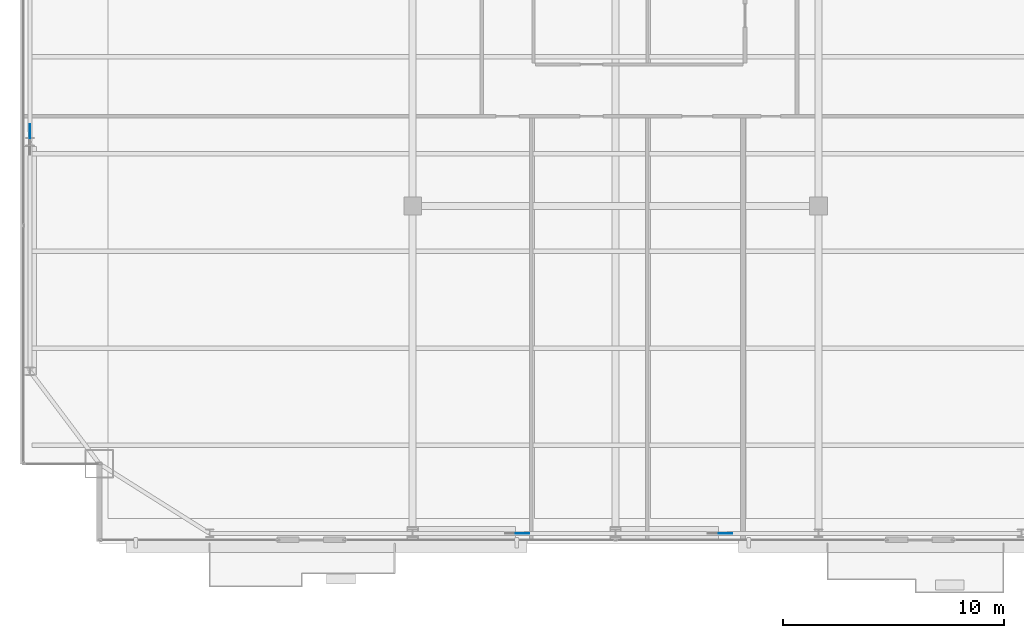
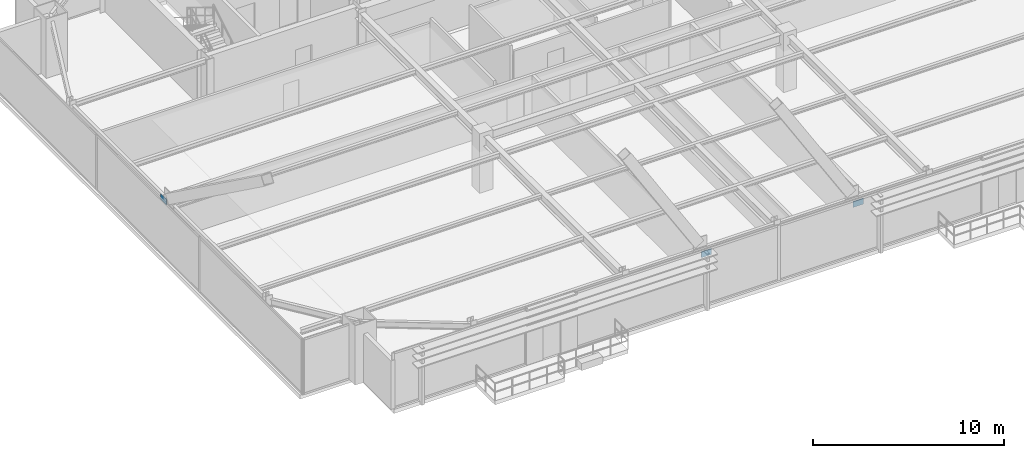
# One storey, part 26 of 32: 3 plates.
"""IFC4 building model written with IfcOpenShell, lengths in metres."""

import ifcopenshell
import ifcopenshell.guid

model = None  # the IFC model being written
_history = None  # IfcOwnerHistory: only IFC2X3 demands one
_inside = {}  # id of a spatial element -> (the spatial element, [elements in it])
_under = {}  # id of a project, library or spatial element -> (it, [spatial elements below it])
_declared = {}  # id of a project -> (the project, [libraries it declares])
_typed = {}  # id of a type object -> (the type object, [elements of that type])
_made_of = {}  # id of a material, layer set ... -> (it, [elements and type objects made of it])


def new_model(schema):
    """Start an empty IFC model of exactly this schema.

    Asked for "IFC4X3", IfcOpenShell would pick the latest addendum, in which some entities
    have other attributes; the version numbers below select the first issue.
    IFC2X3 requires an IfcOwnerHistory on every rooted entity: one is made here for all.
    """
    global model, _history
    if schema == "IFC4X3":
        model = ifcopenshell.file(schema_version=(4, 3, 0, 0))
    else:
        model = ifcopenshell.file(schema=schema)
    _inside.clear()
    _under.clear()
    _declared.clear()
    _typed.clear()
    _made_of.clear()
    _history = None
    if model.schema == "IFC2X3":
        org = make("IfcOrganization", Name="unknown")
        user = make(
            "IfcPersonAndOrganization",
            ThePerson=make("IfcPerson", FamilyName="unknown"),
            TheOrganization=org,
        )
        app = make(
            "IfcApplication",
            ApplicationDeveloper=org,
            Version="unknown",
            ApplicationFullName="unknown",
            ApplicationIdentifier="unknown",
        )
        _history = make(
            "IfcOwnerHistory",
            OwningUser=user,
            OwningApplication=app,
            ChangeAction="ADDED",
            CreationDate=0,
        )
    return model


def make(cls, **values):
    """One entity of the class cls with the attributes given. An attribute that is None is left unset."""
    return model.create_entity(
        cls, **{name: value for name, value in values.items() if value is not None}
    )


def rooted(cls, **values):
    """An entity with a GlobalId (a new one), such as an element, a storey or a relation."""
    return make(cls, GlobalId=ifcopenshell.guid.new(), OwnerHistory=_history, **values)


def si_unit(unit_type, name, prefix=None):
    """IfcSIUnit, for example si_unit("LENGTHUNIT", "METRE", prefix="MILLI")."""
    return make("IfcSIUnit", UnitType=unit_type, Prefix=prefix, Name=name)


def assignment(units):
    """IfcUnitAssignment: the units of a project."""
    return None if units is None else make("IfcUnitAssignment", Units=units)


def point(xyz):
    """IfcCartesianPoint."""
    return None if xyz is None else make("IfcCartesianPoint", Coordinates=xyz)


def direction(xyz):
    """IfcDirection."""
    return None if xyz is None else make("IfcDirection", DirectionRatios=xyz)


def frame(location, z_axis=None, x_axis=None):
    """IfcAxis2Placement3D, a coordinate frame: its origin and axes. An axis left out is left unset."""
    return make(
        "IfcAxis2Placement3D",
        Location=point(location),
        Axis=direction(z_axis),
        RefDirection=direction(x_axis),
    )


def frame_2d(location, x_axis=None):
    """IfcAxis2Placement2D, a coordinate frame in the plane: its origin and x axis."""
    return make(
        "IfcAxis2Placement2D", Location=point(location), RefDirection=direction(x_axis)
    )


def origin():
    """The frame at (0, 0, 0) with its axes left unset."""
    return frame((0.0, 0.0, 0.0))


def origin_2d():
    """The frame at (0, 0) in the plane with its x axis left unset."""
    return frame_2d((0.0, 0.0))


def place(relative_to, where):
    """IfcLocalPlacement: puts the frame where relative to a parent placement (None: the world)."""
    return make(
        "IfcLocalPlacement", PlacementRelTo=relative_to, RelativePlacement=where
    )


def context(
    kind, dimensions, precision=None, world=None, true_north=None, identifier=None
):
    """IfcGeometricRepresentationContext, for example the 3D "Model" context."""
    return make(
        "IfcGeometricRepresentationContext",
        ContextIdentifier=identifier,
        ContextType=kind,
        CoordinateSpaceDimension=dimensions,
        Precision=precision,
        WorldCoordinateSystem=world,
        TrueNorth=true_north,
    )


def subcontext(parent, identifier, kind, view, scale=None):
    """IfcGeometricRepresentationSubContext, for example "Body" below "Model"."""
    return make(
        "IfcGeometricRepresentationSubContext",
        ContextIdentifier=identifier,
        ContextType=kind,
        ParentContext=parent,
        TargetScale=scale,
        TargetView=view,
    )


def project(units=None, contexts=None):
    """IfcProject with its units and contexts."""
    return rooted(
        "IfcProject",
        Name="project",
        RepresentationContexts=contexts,
        UnitsInContext=assignment(units),
    )


def spatial(cls, under=None, at=None, **own):
    """A site, building, storey or space (cls), placed at a placement, below another one or the project."""
    s = rooted(cls, ObjectPlacement=at, **own)
    if under is not None:
        _under.setdefault(under.id(), (under, []))[1].append(s)
    return s


def profile(cls, at=None, kind="AREA", **sizes):
    """A parametric profile (cls). Its sizes go by their IFC names, for example OverallWidth=200.0."""
    return make(cls, ProfileType=kind, Position=at, **sizes)


def rectangle(**sizes):
    """IfcRectangleProfileDef."""
    return profile("IfcRectangleProfileDef", **sizes)


def extrude(swept, where, along, depth):
    """IfcExtrudedAreaSolid: the profile swept, set in the frame where, extruded along a direction by depth."""
    return make(
        "IfcExtrudedAreaSolid",
        SweptArea=swept,
        Position=where,
        ExtrudedDirection=direction(along),
        Depth=depth,
    )


def shape(context_of_items, identifier, shape_type, items):
    """IfcShapeRepresentation: the items that make up one representation, for example the "Body"."""
    return make(
        "IfcShapeRepresentation",
        ContextOfItems=context_of_items,
        RepresentationIdentifier=identifier,
        RepresentationType=shape_type,
        Items=items,
    )


def source(mapping_origin, context_of_items, identifier, shape_type, items):
    """IfcRepresentationMap: a shape defined once, which mapped items show again and again."""
    return make(
        "IfcRepresentationMap",
        MappingOrigin=mapping_origin,
        MappedRepresentation=shape(context_of_items, identifier, shape_type, items),
    )


def transform(
    local_origin,
    x_axis=None,
    y_axis=None,
    z_axis=None,
    scale=None,
    scale2=None,
    scale3=None,
    uniform=True,
):
    """IfcCartesianTransformationOperator3D, or its non-uniform kind. x_axis, y_axis, z_axis: its Axis1, 2, 3."""
    if uniform:
        return make(
            "IfcCartesianTransformationOperator3D",
            Axis1=direction(x_axis),
            Axis2=direction(y_axis),
            LocalOrigin=point(local_origin),
            Scale=scale,
            Axis3=direction(z_axis),
        )
    return make(
        "IfcCartesianTransformationOperator3DnonUniform",
        Axis1=direction(x_axis),
        Axis2=direction(y_axis),
        LocalOrigin=point(local_origin),
        Scale=scale,
        Axis3=direction(z_axis),
        Scale2=scale2,
        Scale3=scale3,
    )


def mapped(mapping_source, mapping_target):
    """IfcMappedItem: shows the shape of a source again, moved by a transform."""
    return make(
        "IfcMappedItem", MappingSource=mapping_source, MappingTarget=mapping_target
    )


def material(Name=None, Category=None):
    """IfcMaterial."""
    return make("IfcMaterial", Name=Name, Category=Category)


def layer(
    of_material, thickness, ventilated=None, Name=None, Category=None, Priority=None
):
    """IfcMaterialLayer: one layer of a wall or slab, of a material (None: an air gap)."""
    return make(
        "IfcMaterialLayer",
        Material=of_material,
        LayerThickness=thickness,
        IsVentilated=ventilated,
        Name=Name,
        Category=Category,
        Priority=Priority,
    )


def layer_set(layers, Name=None):
    """IfcMaterialLayerSet."""
    return make("IfcMaterialLayerSet", MaterialLayers=layers, LayerSetName=Name)


def made_of(thing, what):
    """Note that an element or type object is made of a material, layer set ...; save() writes the relation."""
    if what is not None:
        _made_of.setdefault(what.id(), (what, []))[1].append(thing)
    return thing


def type_object(cls, material=None, **own):
    """A type object (cls), such as IfcWallType, which elements share."""
    return made_of(rooted(cls, **own), material)


def type_shapes(of_type, sources):
    """Give a type object the sources (RepresentationMaps) that its elements show as mapped items."""
    of_type.RepresentationMaps = sources


def element(
    cls,
    number,
    at=None,
    inside=None,
    cuts=None,
    type_object=None,
    material=None,
    context=None,
    identifier="Body",
    shape_type=None,
    held_by="IfcProductDefinitionShape",
    body=None,
    shapes=None,
    **own,
):
    """One element of the class cls, such as IfcWall. Its Tag is "e" and its number.

    at: its placement. inside: the storey or other place that contains it. cuts: it is an
    opening in that element (IfcRelVoidsElement). A single representation is given by context,
    identifier, shape_type and body (its items); several are given by shapes. held_by: the class
    of the entity that holds the representations. save() writes the other relations.
    """
    e = rooted(cls, Tag="e%d" % number, ObjectPlacement=at, **own)
    if body is not None:
        shapes = [shape(context, identifier, shape_type, body)]
    if shapes is not None:
        e.Representation = make(held_by, Representations=shapes)
    if inside is not None:
        _inside.setdefault(inside.id(), (inside, []))[1].append(e)
    if cuts is not None:
        rooted(
            "IfcRelVoidsElement", RelatingBuildingElement=cuts, RelatedOpeningElement=e
        )
    if type_object is not None:
        _typed.setdefault(type_object.id(), (type_object, []))[1].append(e)
    return made_of(e, material)


def aggregate(whole, parts):
    """IfcRelAggregates: a whole, such as a stair, and the parts it consists of."""
    return rooted("IfcRelAggregates", RelatingObject=whole, RelatedObjects=parts)


def save(model, path):
    """Write the relations noted so far, then the file.

    IfcRelAggregates (storeys below a building ...), IfcRelContainedInSpatialStructure (elements
    in a storey), IfcRelDefinesByType, IfcRelAssociatesMaterial and IfcRelDeclares: one each for
    every whole, place, type object, material and project.
    """
    for whole, parts in _under.values():
        aggregate(whole, parts)
    for where, things in _inside.values():
        rooted(
            "IfcRelContainedInSpatialStructure",
            RelatedElements=things,
            RelatingStructure=where,
        )
    for kind, things in _typed.values():
        rooted("IfcRelDefinesByType", RelatedObjects=things, RelatingType=kind)
    for what, things in _made_of.values():
        rooted("IfcRelAssociatesMaterial", RelatedObjects=things, RelatingMaterial=what)
    for by, libraries in _declared.values():
        rooted("IfcRelDeclares", RelatingContext=by, RelatedDefinitions=libraries)
    model.write(path)


model = new_model("IFC4")

# Units and contexts
model_context = context("Model", 3, precision=1e-05, world=origin(), true_north=direction((0.0, 1.0)))
body_context = subcontext(model_context, "Body", "Model", "MODEL_VIEW")
ifc_project = project(units=[si_unit("LENGTHUNIT", "METRE"), si_unit("AREAUNIT", "SQUARE_METRE"), si_unit("VOLUMEUNIT", "CUBIC_METRE"), si_unit("PLANEANGLEUNIT", "RADIAN"), si_unit("MASSUNIT", "GRAM", prefix="KILO")], contexts=[model_context])

# Site, building, storey
site_placement = place(None, origin())
site = spatial("IfcSite", under=ifc_project, at=site_placement, CompositionType="ELEMENT")
building_placement = place(site_placement, origin())
building = spatial("IfcBuilding", under=site, at=building_placement, Name="Varnel Quay Broadcast Tower", CompositionType="ELEMENT")
storey_placement = place(building_placement, frame((0.0, 0.0, 164.800048828125)))
storey = spatial("IfcBuildingStorey", under=building, at=storey_placement, Name="L40", CompositionType="ELEMENT", Elevation=164.800048828125)

# Plates
ifc_material = material(Name="Structural Steel CSA G40.21 350WT", Category="steel")
ifc_layer = layer(ifc_material, 0.031982421875, Name="Structural Steel CSA G40.21 350WT")
ifc_layer_set = layer_set([ifc_layer], Name="Structural Steel CSA G40.21 350WT")
plate_type = type_object("IfcPlateType", Name="Plate_EndCap", PredefinedType="USERDEFINED", material=ifc_layer_set)
shared_shape = source(origin(), body_context, "Body", "SweptSolid", [
    extrude(rectangle(XDim=0.6201171875, YDim=0.031982421875, at=origin_2d()), origin(), (0.0, 0.0, 1.0), 0.3798828125),
])
type_shapes(plate_type, [shared_shape])
for number, where, z_axis, x_axis, name in (
    (1, (29.788818359375, 7.64990234375, 2.8544921875), (0.0, 0.0, 1.0), (1.0, 0.0, 0.0), "Zone 3 Mega-Brace S-C1T2 Diag B1 End Connection Plate P1"),
    (2, (38.989013671875, 7.64990234375, 2.8544921875), (0.0, 0.0, 1.0), (1.0, 0.0, 0.0), "Zone 3 Mega-Brace S-C2T2 Diag B1 End Connection Plate P1"),
    (3, (7.449951171875, 25.8837890625, 3.0625), (0.0, 0.0, 1.0), (0.0, 1.0, 0.0), "Zone 3 Mega-Brace W-FT2 Diag B1 End Connection Plate P1"),
):
    element("IfcPlate", number, at=place(storey_placement, frame(where, z_axis=z_axis, x_axis=x_axis)), inside=storey, type_object=plate_type, Name=name, ObjectType="CAP_PLATE", PredefinedType="USERDEFINED", context=body_context, shape_type="MappedRepresentation", body=[
        mapped(shared_shape, transform((0.0, 0.0, 0.0), x_axis=(1.0, 0.0, 0.0), y_axis=(0.0, 1.0, 0.0), z_axis=(0.0, 0.0, 1.0), scale=1.0)),
    ])

save(model, "model.ifc")
